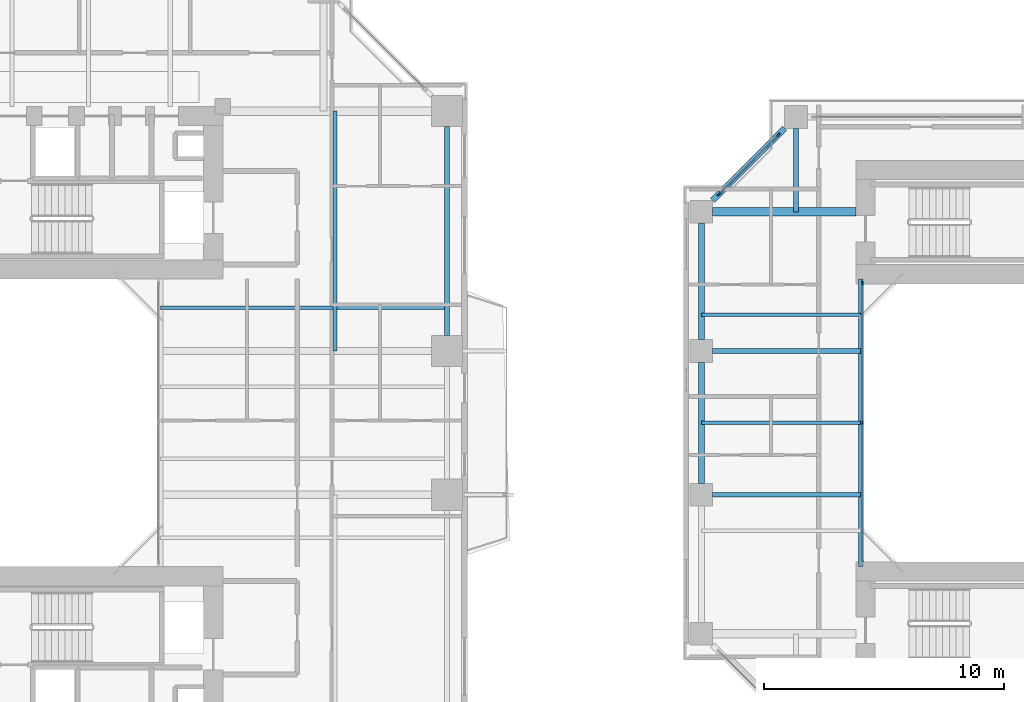
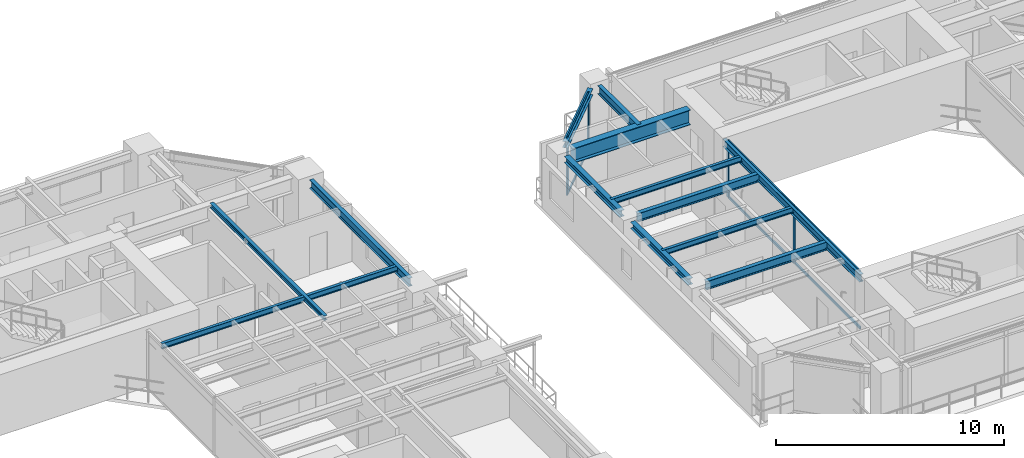
# One storey, part 8 of 23: 13 beams, 10 members, 2 elements without a shape of their own.
"""IFC4 building model written with IfcOpenShell, lengths in metres."""

from ifc_helpers import new_model, si_unit, direction, frame, origin, origin_2d, place, context, subcontext, project, spatial, rectangle, i_section, extrude, source, transform, mapped, material, layer, layer_set, material_profile, profile_set, type_object, element, aggregate, save


model = new_model("IFC4")

# Units and contexts
model_context = context("Model", 3, precision=1e-05, world=origin(), true_north=direction((0.0, 1.0)))
body_context = subcontext(model_context, "Body", "Model", "MODEL_VIEW")
ifc_project = project(units=[si_unit("LENGTHUNIT", "METRE"), si_unit("AREAUNIT", "SQUARE_METRE"), si_unit("VOLUMEUNIT", "CUBIC_METRE"), si_unit("PLANEANGLEUNIT", "RADIAN"), si_unit("MASSUNIT", "GRAM", prefix="KILO"), si_unit("THERMODYNAMICTEMPERATUREUNIT", "KELVIN"), si_unit("POWERUNIT", "WATT")], contexts=[model_context])

# Site, building, storey
site_placement = place(None, origin())
site = spatial("IfcSite", under=ifc_project, at=site_placement, CompositionType="ELEMENT")
building_placement = place(site_placement, origin())
building = spatial("IfcBuilding", under=site, at=building_placement, Name="Qiaomeng Ring Towers", CompositionType="ELEMENT")
storey_placement = place(building_placement, frame((0.0, 0.0, 39.25)))
storey = spatial("IfcBuildingStorey", under=building, at=storey_placement, Name="L10", CompositionType="ELEMENT", Elevation=39.25)

# Beams
ifc_material_1 = material(Name="Steel Q355B", Category="steel")
ifc_material_profile_1 = material_profile(ifc_material_1, i_section(OverallWidth=0.199951171875, OverallDepth=0.449951171875, WebThickness=0.009033203125, FlangeThickness=0.013916015625, FilletRadius=0.01806640625, at=origin_2d()), Name="HN 450x200x9x14")
ifc_profile_set_1 = profile_set([ifc_material_profile_1], Name="Steel Q355B")
beam_type_1 = type_object("IfcBeamType", Name="STR-BM-HN450", PredefinedType="SPANDREL", material=ifc_profile_set_1)
shared_shape_1 = source(origin(), body_context, "Body", "SweptSolid", [
    extrude(i_section(OverallWidth=0.199951171875, OverallDepth=0.449951171875, WebThickness=0.009033203125, FlangeThickness=0.013916015625, FilletRadius=0.01806640625, at=origin_2d()), origin(), (0.0, 0.0, 1.0), 8.7021484375),
])
beam_1_placement = place(storey_placement, frame((37.14990234375, 26.64892578125, 2.844970703125), z_axis=(0.0, 1.0, 0.0), x_axis=(-1.0, 0.0, 0.0)))
element("IfcBeam", 1, at=beam_1_placement, inside=storey, type_object=beam_type_1, Name="L10 beam STR-SP-L10-T1-E3-E4", PredefinedType="SPANDREL", context=body_context, shape_type="MappedRepresentation", body=[
    mapped(shared_shape_1, transform((0.0, 0.0, 0.0), x_axis=(1.0, 0.0, 0.0), y_axis=(0.0, 1.0, 0.0), z_axis=(0.0, 0.0, 1.0), scale=1.0)),
])
ifc_material_profile_2 = material_profile(ifc_material_1, i_section(OverallWidth=0.25, OverallDepth=0.340087890625, WebThickness=0.009033203125, FlangeThickness=0.013916015625, FilletRadius=0.02001953125, at=origin_2d()), Name="HM 340x250x9x14")
ifc_profile_set_2 = profile_set([ifc_material_profile_2], Name="Steel Q355B")
beam_type_2 = type_object("IfcBeamType", Name="STR-BM-HM340", PredefinedType="SPANDREL", material=ifc_profile_set_2)
shared_shape_2 = source(origin(), body_context, "Body", "SweptSolid", [
    extrude(i_section(OverallWidth=0.25, OverallDepth=0.340087890625, WebThickness=0.009033203125, FlangeThickness=0.013916015625, FilletRadius=0.02001953125, at=origin_2d()), origin(), (0.0, 0.0, 1.0), 4.244384765625),
])
beam_2_placement = place(storey_placement, frame((51.2255859375, 35.275634765625, 2.89990234375), z_axis=(-0.707106781187, -0.707106781187, 0.0), x_axis=(0.707106781187, -0.707106781187, 0.0)))
element("IfcBeam", 2, at=beam_2_placement, inside=storey, type_object=beam_type_2, Name="L10 beam STR-SP-L10-T2-N1-W4", PredefinedType="SPANDREL", context=body_context, shape_type="MappedRepresentation", body=[
    mapped(shared_shape_2, transform((0.0, 0.0, 0.0), x_axis=(1.0, 0.0, 0.0), y_axis=(0.0, 1.0, 0.0), z_axis=(0.0, 0.0, 1.0), scale=1.0)),
])
shared_shape_3 = source(origin(), body_context, "Body", "SweptSolid", [
    extrude(i_section(OverallWidth=0.25, OverallDepth=0.340087890625, WebThickness=0.009033203125, FlangeThickness=0.013916015625, FilletRadius=0.02001953125, at=origin_2d()), origin(), (0.0, 0.0, 1.0), 4.851806640625),
])
beam_3_placement = place(storey_placement, frame((47.75, 31.325927734375, 2.89990234375), z_axis=(0.0, -1.0, 0.0), x_axis=(1.0, 0.0, 0.0)))
element("IfcBeam", 3, at=beam_3_placement, inside=storey, type_object=beam_type_2, Name="L10 beam STR-SP-L10-T2-W4-W3", PredefinedType="SPANDREL", context=body_context, shape_type="MappedRepresentation", body=[
    mapped(shared_shape_3, transform((0.0, 0.0, 0.0), x_axis=(1.0, 0.0, 0.0), y_axis=(0.0, 1.0, 0.0), z_axis=(0.0, 0.0, 1.0), scale=1.0)),
])
shared_shape_4 = source(origin(), body_context, "Body", "SweptSolid", [
    extrude(i_section(OverallWidth=0.25, OverallDepth=0.340087890625, WebThickness=0.009033203125, FlangeThickness=0.013916015625, FilletRadius=0.02001953125, at=origin_2d()), origin(), (0.0, 0.0, 1.0), 5.0517578125),
])
beam_4_placement = place(storey_placement, frame((47.75, 25.52587890625, 2.89990234375), z_axis=(0.0, -1.0, 0.0), x_axis=(1.0, 0.0, 0.0)))
element("IfcBeam", 4, at=beam_4_placement, inside=storey, type_object=beam_type_2, Name="L10 beam STR-SP-L10-T2-W3-W2", PredefinedType="SPANDREL", context=body_context, shape_type="MappedRepresentation", body=[
    mapped(shared_shape_4, transform((0.0, 0.0, 0.0), x_axis=(1.0, 0.0, 0.0), y_axis=(0.0, 1.0, 0.0), z_axis=(0.0, 0.0, 1.0), scale=1.0)),
])
ifc_material_profile_3 = material_profile(ifc_material_1, i_section(OverallWidth=0.199951171875, OverallDepth=0.39990234375, WebThickness=0.008056640625, FlangeThickness=0.012939453125, FilletRadius=0.01611328125, at=origin_2d()), Name="HN 400x200x8x13")
ifc_profile_set_3 = profile_set([ifc_material_profile_3], Name="Steel Q355B")
beam_type_3 = type_object("IfcBeamType", Name="STR-BM-HN400", PredefinedType="SPANDREL", material=ifc_profile_set_3)
shared_shape_5 = source(origin(), body_context, "Body", "SweptSolid", [
    extrude(i_section(OverallWidth=0.199951171875, OverallDepth=0.39990234375, WebThickness=0.008056640625, FlangeThickness=0.012939453125, FilletRadius=0.01611328125, at=origin_2d()), origin(), (0.0, 0.0, 1.0), 12.0),
])
beam_5_placement = place(storey_placement, frame((54.39990234375, 17.0, 2.8701171875), z_axis=(0.0, 1.0, 0.0), x_axis=(-1.0, 0.0, 0.0)))
element("IfcBeam", 5, at=beam_5_placement, inside=storey, type_object=beam_type_3, Name="L10 beam STR-BM-L10-T2-WELL-W", PredefinedType="SPANDREL", context=body_context, shape_type="MappedRepresentation", body=[
    mapped(shared_shape_5, transform((0.0, 0.0, 0.0), x_axis=(1.0, 0.0, 0.0), y_axis=(0.0, 1.0, 0.0), z_axis=(0.0, 0.0, 1.0), scale=1.0)),
])
ifc_material_2 = material(Name="Steel Q390GJC", Category="steel")
ifc_material_profile_4 = material_profile(ifc_material_2, i_section(OverallWidth=0.35009765625, OverallDepth=0.800048828125, WebThickness=0.01611328125, FlangeThickness=0.028076171875, at=origin_2d()), Name="WH 800x350x16x28")
ifc_profile_set_4 = profile_set([ifc_material_profile_4], Name="Steel Q390GJC")
beam_type_4 = type_object("IfcBeamType", Name="STR-BM-WH800", PredefinedType="BEAM", material=ifc_profile_set_4)
shared_shape_6 = source(origin(), body_context, "Body", "SweptSolid", [
    extrude(i_section(OverallWidth=0.35009765625, OverallDepth=0.800048828125, WebThickness=0.01611328125, FlangeThickness=0.028076171875, at=origin_2d()), origin(), (0.0, 0.0, 1.0), 5.975830078125),
])
beam_6_placement = place(storey_placement, frame((48.22412109375, 31.800048828125, 2.669921875), z_axis=(1.0, 0.0, 0.0), x_axis=(0.0, 1.0, 0.0)))
element("IfcBeam", 6, at=beam_6_placement, inside=storey, type_object=beam_type_4, Name="L10 beam STR-BM-L10-T2-RAD-W4", PredefinedType="BEAM", context=body_context, shape_type="MappedRepresentation", body=[
    mapped(shared_shape_6, transform((0.0, 0.0, 0.0), x_axis=(1.0, 0.0, 0.0), y_axis=(0.0, 1.0, 0.0), z_axis=(0.0, 0.0, 1.0), scale=1.0)),
])
shared_shape_7 = source(origin(), body_context, "Body", "SweptSolid", [
    extrude(i_section(OverallWidth=0.199951171875, OverallDepth=0.449951171875, WebThickness=0.009033203125, FlangeThickness=0.013916015625, FilletRadius=0.01806640625, at=origin_2d()), origin(), (0.0, 0.0, 1.0), 6.17578125),
])
for number, where, z_axis, x_axis, name in (
    (7, (48.22412109375, 20.0, 2.844970703125), (1.0, 0.0, 0.0), (0.0, 1.0, 0.0), "L10 beam STR-BM-L10-T2-RAD-W2"),
    (8, (48.22412109375, 26.0, 2.844970703125), (1.0, 0.0, 0.0), (0.0, 1.0, 0.0), "L10 beam STR-BM-L10-T2-RAD-W3"),
):
    element("IfcBeam", number, at=place(storey_placement, frame(where, z_axis=z_axis, x_axis=x_axis)), inside=storey, type_object=beam_type_1, Name=name, PredefinedType="SPANDREL", context=body_context, shape_type="MappedRepresentation", body=[
        mapped(shared_shape_7, transform((0.0, 0.0, 0.0), x_axis=(1.0, 0.0, 0.0), y_axis=(0.0, 1.0, 0.0), z_axis=(0.0, 0.0, 1.0), scale=1.0)),
    ])
shared_shape_8 = source(origin(), body_context, "Body", "SweptSolid", [
    extrude(i_section(OverallWidth=0.199951171875, OverallDepth=0.449951171875, WebThickness=0.009033203125, FlangeThickness=0.013916015625, FilletRadius=0.01806640625, at=origin_2d()), origin(), (0.0, 0.0, 1.0), 3.475830078125),
])
beam_7_placement = place(storey_placement, frame((51.699951171875, 35.27587890625, 2.844970703125), z_axis=(0.0, -1.0, 0.0), x_axis=(1.0, 0.0, 0.0)))
element("IfcBeam", 9, at=beam_7_placement, inside=storey, type_object=beam_type_1, Name="L10 beam STR-BM-L10-T2-RAD-N1", PredefinedType="SPANDREL", context=body_context, shape_type="MappedRepresentation", body=[
    mapped(shared_shape_8, transform((0.0, 0.0, 0.0), x_axis=(1.0, 0.0, 0.0), y_axis=(0.0, 1.0, 0.0), z_axis=(0.0, 0.0, 1.0), scale=1.0)),
])
ifc_material_profile_5 = material_profile(ifc_material_1, i_section(OverallWidth=0.14990234375, OverallDepth=0.300048828125, WebThickness=0.006591796875, FlangeThickness=0.009033203125, FilletRadius=0.012939453125, at=origin_2d()), Name="HN 300x150x6.5x9")
ifc_profile_set_5 = profile_set([ifc_material_profile_5], Name="Steel Q355B")
beam_type_5 = type_object("IfcBeamType", Name="STR-BM-HN300", PredefinedType="JOIST", material=ifc_profile_set_5)
shared_shape_9 = source(origin(), body_context, "Body", "SweptSolid", [
    extrude(i_section(OverallWidth=0.14990234375, OverallDepth=0.300048828125, WebThickness=0.006591796875, FlangeThickness=0.009033203125, FilletRadius=0.012939453125, at=origin_2d()), origin(), (0.0, 0.0, 1.0), 11.949951171875),
])
beam_8_placement = place(storey_placement, frame((25.199951171875, 27.800048828125, 2.919921875), z_axis=(1.0, 0.0, 0.0), x_axis=(0.0, 1.0, 0.0)))
element("IfcBeam", 10, at=beam_8_placement, inside=storey, type_object=beam_type_5, Name="L10 beam STR-JST-L10-T1E-4", PredefinedType="JOIST", context=body_context, shape_type="MappedRepresentation", body=[
    mapped(shared_shape_9, transform((0.0, 0.0, 0.0), x_axis=(1.0, 0.0, 0.0), y_axis=(0.0, 1.0, 0.0), z_axis=(0.0, 0.0, 1.0), scale=1.0)),
])
ifc_material_profile_6 = material_profile(ifc_material_1, i_section(OverallWidth=0.175048828125, OverallDepth=0.243896484375, WebThickness=0.007080078125, FlangeThickness=0.010986328125, FilletRadius=0.01611328125, at=origin_2d()), Name="HM 244x175x7x11")
ifc_profile_set_6 = profile_set([ifc_material_profile_6], Name="Steel Q355B")
beam_type_6 = type_object("IfcBeamType", Name="STR-BM-HM244", PredefinedType="JOIST", material=ifc_profile_set_6)
shared_shape_10 = source(origin(), body_context, "Body", "SweptSolid", [
    extrude(i_section(OverallWidth=0.175048828125, OverallDepth=0.243896484375, WebThickness=0.007080078125, FlangeThickness=0.010986328125, FilletRadius=0.01611328125, at=origin_2d()), origin(), (0.0, 0.0, 1.0), 10.0),
])
beam_9_placement = place(storey_placement, frame((32.47509765625, 26.0, 2.947998046875), z_axis=(0.0, 1.0, 0.0), x_axis=(-1.0, 0.0, 0.0)))
element("IfcBeam", 11, at=beam_9_placement, inside=storey, type_object=beam_type_6, Name="L10 beam STR-JST-L10-T1C-EN", PredefinedType="JOIST", context=body_context, shape_type="MappedRepresentation", body=[
    mapped(shared_shape_10, transform((0.0, 0.0, 0.0), x_axis=(1.0, 0.0, 0.0), y_axis=(0.0, 1.0, 0.0), z_axis=(0.0, 0.0, 1.0), scale=1.0)),
])
shared_shape_11 = source(origin(), body_context, "Body", "SweptSolid", [
    extrude(i_section(OverallWidth=0.14990234375, OverallDepth=0.300048828125, WebThickness=0.006591796875, FlangeThickness=0.009033203125, FilletRadius=0.012939453125, at=origin_2d()), origin(), (0.0, 0.0, 1.0), 6.64990234375),
])
for number, where, z_axis, x_axis, name in (
    (12, (47.75, 23.0, 2.919921875), (1.0, 0.0, 0.0), (0.0, 1.0, 0.0), "L10 beam STR-JST-L10-T2W-2"),
    (13, (47.75, 27.5, 2.919921875), (1.0, 0.0, 0.0), (0.0, 1.0, 0.0), "L10 beam STR-JST-L10-T2W-3"),
):
    element("IfcBeam", number, at=place(storey_placement, frame(where, z_axis=z_axis, x_axis=x_axis)), inside=storey, type_object=beam_type_5, Name=name, PredefinedType="JOIST", context=body_context, shape_type="MappedRepresentation", body=[
        mapped(shared_shape_11, transform((0.0, 0.0, 0.0), x_axis=(1.0, 0.0, 0.0), y_axis=(0.0, 1.0, 0.0), z_axis=(0.0, 0.0, 1.0), scale=1.0)),
    ])

# Curtain wall, members
ifc_material_3 = material(Name="Fluorocarbon dark-grey aluminium", Category="aluminium")
ifc_layer_1 = layer(ifc_material_3, 0.139892578125, Name="Fluorocarbon dark-grey aluminium")
ifc_layer_set_1 = layer_set([ifc_layer_1], Name="Fluorocarbon dark-grey aluminium")
curtain_wall_type_1 = type_object("IfcCurtainWallType", Name="ARC-CW-4", PredefinedType="NOTDEFINED", material=ifc_layer_set_1)
curtain_wall_1_placement = place(storey_placement, origin())
curtain_wall_1 = element("IfcCurtainWall", 14, at=curtain_wall_1_placement, inside=storey, type_object=curtain_wall_type_1, Name="L10 Curtain Wall CW4", PredefinedType="NOTDEFINED")
ifc_material_profile_7 = material_profile(ifc_material_3, rectangle(XDim=0.06494140625, YDim=0.159912109375, at=origin_2d()), Name="ALU MULL 65x160")
ifc_profile_set_7 = profile_set([ifc_material_profile_7], Name="Fluorocarbon dark-grey aluminium")
member_type_1 = type_object("IfcMemberType", Name="ARC-CWM-140", PredefinedType="MULLION", material=ifc_profile_set_7)
shared_shape_12 = source(origin(), body_context, "Body", "SweptSolid", [
    extrude(rectangle(XDim=0.06494140625, YDim=0.159912109375, at=origin_2d()), origin(), (0.0, 0.0, 1.0), 3.070068359375),
])
member_1_placement = place(storey_placement, frame((54.47998046875, 23.0, 0.0), z_axis=(0.0, 0.0, 1.0), x_axis=(-1.0, 0.0, 0.0)))
member_1 = element("IfcMember", 15, at=member_1_placement, type_object=member_type_1, Name="CW4 mullion 2", PredefinedType="MULLION", context=body_context, shape_type="MappedRepresentation", body=[
    mapped(shared_shape_12, transform((0.0, 0.0, 0.0), x_axis=(1.0, 0.0, 0.0), y_axis=(0.0, 1.0, 0.0), z_axis=(0.0, 0.0, 1.0), scale=1.0)),
])
member_2_placement = place(storey_placement, frame((54.47998046875, 28.8173828125, 0.0), z_axis=(0.0, 0.0, 1.0), x_axis=(-1.0, 0.0, 0.0)))
member_2 = element("IfcMember", 16, at=member_2_placement, type_object=member_type_1, Name="CW4 mullion 3", PredefinedType="MULLION", context=body_context, shape_type="MappedRepresentation", body=[
    mapped(shared_shape_12, transform((0.0, 0.0, 0.0), x_axis=(1.0, 0.0, 0.0), y_axis=(0.0, 1.0, 0.0), z_axis=(0.0, 0.0, 1.0), scale=1.0)),
])
ifc_material_profile_8 = material_profile(ifc_material_3, rectangle(XDim=0.06494140625, YDim=0.1298828125, at=origin_2d()), Name="ALU TRAN 65x130")
ifc_profile_set_8 = profile_set([ifc_material_profile_8], Name="Fluorocarbon dark-grey aluminium")
member_type_2 = type_object("IfcMemberType", Name="ARC-CWT-120", PredefinedType="USERDEFINED", material=ifc_profile_set_8)
shared_shape_13 = source(origin(), body_context, "Body", "SweptSolid", [
    extrude(rectangle(XDim=0.06494140625, YDim=0.1298828125, at=origin_2d()), origin(), (0.0, 0.0, 1.0), 5.75244140625),
])
member_3_placement = place(storey_placement, frame((54.47998046875, 17.215087890625, 0.032470703125), z_axis=(0.0, 1.0, 0.0), x_axis=(-1.0, 0.0, 0.0)))
member_3 = element("IfcMember", 17, at=member_3_placement, type_object=member_type_2, Name="CW4 transom 1.1", ObjectType="TRANSOM", PredefinedType="USERDEFINED", context=body_context, shape_type="MappedRepresentation", body=[
    mapped(shared_shape_13, transform((0.0, 0.0, 0.0), x_axis=(1.0, 0.0, 0.0), y_axis=(0.0, 1.0, 0.0), z_axis=(0.0, 0.0, 1.0), scale=1.0)),
])
member_4_placement = place(storey_placement, frame((54.47998046875, 17.215087890625, 3.03759765625), z_axis=(0.0, 1.0, 0.0), x_axis=(-1.0, 0.0, 0.0)))
member_4 = element("IfcMember", 18, at=member_4_placement, type_object=member_type_2, Name="CW4 transom 1.2", ObjectType="TRANSOM", PredefinedType="USERDEFINED", context=body_context, shape_type="MappedRepresentation", body=[
    mapped(shared_shape_13, transform((0.0, 0.0, 0.0), x_axis=(1.0, 0.0, 0.0), y_axis=(0.0, 1.0, 0.0), z_axis=(0.0, 0.0, 1.0), scale=1.0)),
])
member_5_placement = place(storey_placement, frame((54.47998046875, 23.032470703125, 0.032470703125), z_axis=(0.0, 1.0, 0.0), x_axis=(-1.0, 0.0, 0.0)))
member_5 = element("IfcMember", 19, at=member_5_placement, type_object=member_type_2, Name="CW4 transom 2.1", ObjectType="TRANSOM", PredefinedType="USERDEFINED", context=body_context, shape_type="MappedRepresentation", body=[
    mapped(shared_shape_13, transform((0.0, 0.0, 0.0), x_axis=(1.0, 0.0, 0.0), y_axis=(0.0, 1.0, 0.0), z_axis=(0.0, 0.0, 1.0), scale=1.0)),
])
member_6_placement = place(storey_placement, frame((54.47998046875, 23.032470703125, 3.03759765625), z_axis=(0.0, 1.0, 0.0), x_axis=(-1.0, 0.0, 0.0)))
member_6 = element("IfcMember", 20, at=member_6_placement, type_object=member_type_2, Name="CW4 transom 2.2", ObjectType="TRANSOM", PredefinedType="USERDEFINED", context=body_context, shape_type="MappedRepresentation", body=[
    mapped(shared_shape_13, transform((0.0, 0.0, 0.0), x_axis=(1.0, 0.0, 0.0), y_axis=(0.0, 1.0, 0.0), z_axis=(0.0, 0.0, 1.0), scale=1.0)),
])
aggregate(curtain_wall_1, [member_1, member_2, member_3, member_4, member_5, member_6])

ifc_layer_2 = layer(ifc_material_3, 0.14990234375, Name="Fluorocarbon dark-grey aluminium")
ifc_layer_set_2 = layer_set([ifc_layer_2], Name="Fluorocarbon dark-grey aluminium")
curtain_wall_type_2 = type_object("IfcCurtainWallType", Name="ARC-CW-5", PredefinedType="NOTDEFINED", material=ifc_layer_set_2)
curtain_wall_2_placement = place(storey_placement, origin())
curtain_wall_2 = element("IfcCurtainWall", 21, at=curtain_wall_2_placement, inside=storey, type_object=curtain_wall_type_2, Name="L10 Curtain Wall CW5", PredefinedType="NOTDEFINED")
ifc_material_profile_9 = material_profile(ifc_material_3, rectangle(XDim=0.070068359375, YDim=0.179931640625, at=origin_2d()), Name="ALU MULL 70x180")
ifc_profile_set_9 = profile_set([ifc_material_profile_9], Name="Fluorocarbon dark-grey aluminium")
member_type_3 = type_object("IfcMemberType", Name="ARC-CWM-160", PredefinedType="MULLION", material=ifc_profile_set_9)
shared_shape_14 = source(origin(), body_context, "Body", "SweptSolid", [
    extrude(rectangle(XDim=0.070068359375, YDim=0.179931640625, at=origin_2d()), origin(), (0.0, 0.0, 1.0), 3.070068359375),
])
member_7_placement = place(storey_placement, frame((50.960205078125, 35.01025390625, 0.0), z_axis=(0.0, 0.0, 1.0), x_axis=(0.707106781187, -0.707106781187, 0.0)))
member_7 = element("IfcMember", 22, at=member_7_placement, type_object=member_type_3, Name="CW5 mullion 1", PredefinedType="MULLION", context=body_context, shape_type="MappedRepresentation", body=[
    mapped(shared_shape_14, transform((0.0, 0.0, 0.0), x_axis=(1.0, 0.0, 0.0), y_axis=(0.0, 1.0, 0.0), z_axis=(0.0, 0.0, 1.0), scale=1.0)),
])
member_8_placement = place(storey_placement, frame((48.48974609375, 32.539794921875, 0.0), z_axis=(0.0, 0.0, 1.0), x_axis=(0.707106781187, -0.707106781187, 0.0)))
member_8 = element("IfcMember", 23, at=member_8_placement, type_object=member_type_3, Name="CW5 mullion 2", PredefinedType="MULLION", context=body_context, shape_type="MappedRepresentation", body=[
    mapped(shared_shape_14, transform((0.0, 0.0, 0.0), x_axis=(1.0, 0.0, 0.0), y_axis=(0.0, 1.0, 0.0), z_axis=(0.0, 0.0, 1.0), scale=1.0)),
])
shared_shape_15 = source(origin(), body_context, "Body", "SweptSolid", [
    extrude(rectangle(XDim=0.06494140625, YDim=0.1298828125, at=origin_2d()), origin(), (0.0, 0.0, 1.0), 3.424072265625),
])
member_9_placement = place(storey_placement, frame((50.935546875, 34.985595703125, 0.032470703125), z_axis=(-0.707106781187, -0.707106781187, 0.0), x_axis=(0.707106781187, -0.707106781187, 0.0)))
member_9 = element("IfcMember", 24, at=member_9_placement, type_object=member_type_2, Name="CW5 transom 1.1", ObjectType="TRANSOM", PredefinedType="USERDEFINED", context=body_context, shape_type="MappedRepresentation", body=[
    mapped(shared_shape_15, transform((0.0, 0.0, 0.0), x_axis=(1.0, 0.0, 0.0), y_axis=(0.0, 1.0, 0.0), z_axis=(0.0, 0.0, 1.0), scale=1.0)),
])
member_10_placement = place(storey_placement, frame((50.935546875, 34.985595703125, 3.03759765625), z_axis=(-0.707106781187, -0.707106781187, 0.0), x_axis=(0.707106781187, -0.707106781187, 0.0)))
member_10 = element("IfcMember", 25, at=member_10_placement, type_object=member_type_2, Name="CW5 transom 1.2", ObjectType="TRANSOM", PredefinedType="USERDEFINED", context=body_context, shape_type="MappedRepresentation", body=[
    mapped(shared_shape_15, transform((0.0, 0.0, 0.0), x_axis=(1.0, 0.0, 0.0), y_axis=(0.0, 1.0, 0.0), z_axis=(0.0, 0.0, 1.0), scale=1.0)),
])
aggregate(curtain_wall_2, [member_7, member_8, member_9, member_10])

save(model, "model.ifc")
